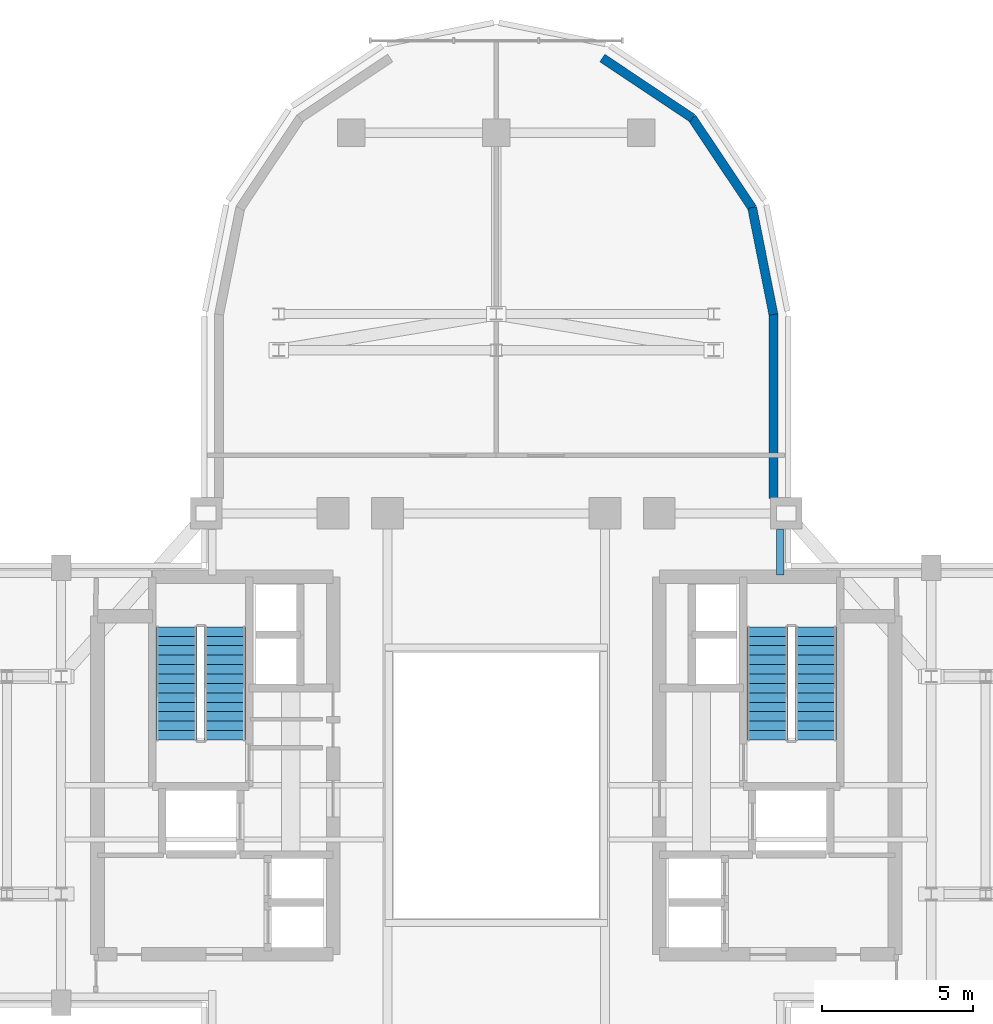
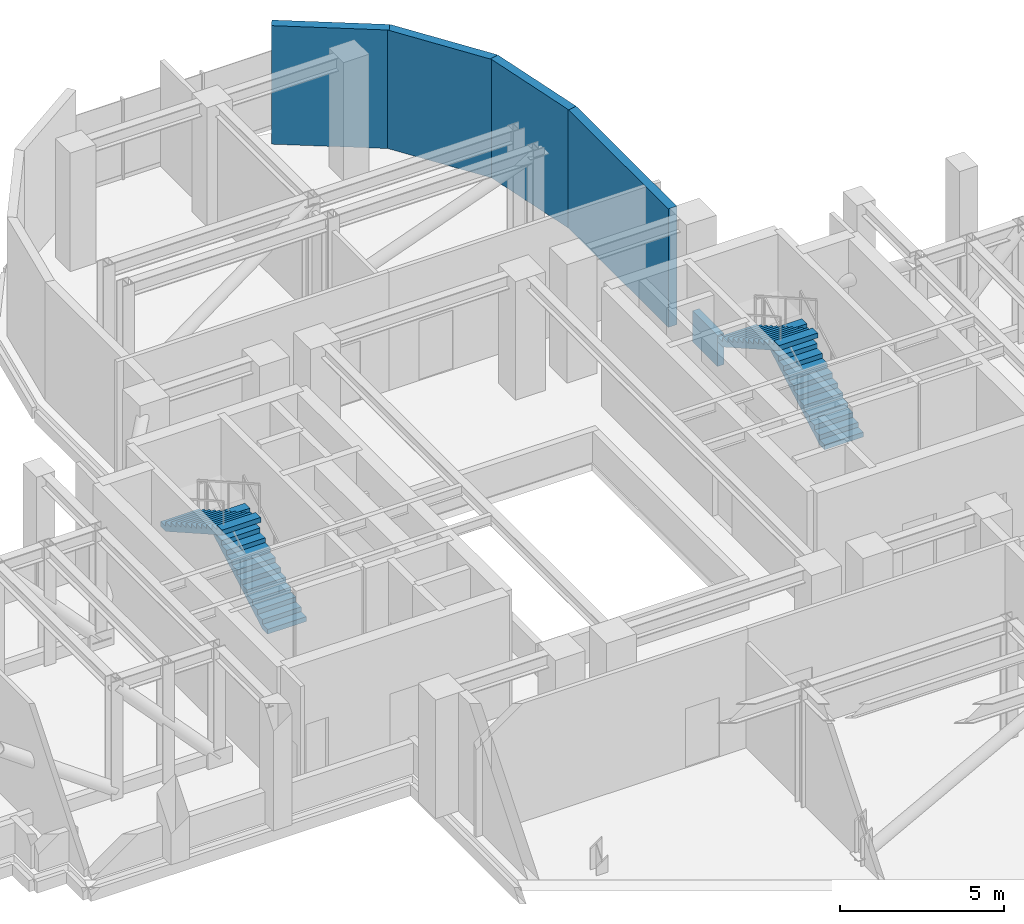
# One storey, part 8 of 11: 5 walls, 4 stair flights, 2 elements without a shape of their own.
"""IFC4 building model written with IfcOpenShell, lengths in metres."""

from ifc_helpers import new_model, si_unit, direction, frame, frame_2d, origin, place, context, subcontext, project, spatial, polyline, rectangle, outline, extrude, material, layer, layer_set, type_object, element, aggregate, save


model = new_model("IFC4")

# Units and contexts
model_context = context("Model", 3, precision=1e-05, world=origin(), true_north=direction((0.0, 1.0)))
body_context = subcontext(model_context, "Body", "Model", "MODEL_VIEW")
ifc_project = project(units=[si_unit("LENGTHUNIT", "METRE"), si_unit("AREAUNIT", "SQUARE_METRE"), si_unit("VOLUMEUNIT", "CUBIC_METRE"), si_unit("PLANEANGLEUNIT", "RADIAN"), si_unit("MASSUNIT", "GRAM", prefix="KILO")], contexts=[model_context])

# Site, building, storey
site_placement = place(None, origin())
site = spatial("IfcSite", under=ifc_project, at=site_placement, CompositionType="ELEMENT")
building_placement = place(site_placement, origin())
building = spatial("IfcBuilding", under=site, at=building_placement, Name="Keilestroom Media Tower", CompositionType="ELEMENT")
storey_placement = place(building_placement, frame((0.0, 0.0, 151.60009765625)))
storey = spatial("IfcBuildingStorey", under=building, at=storey_placement, Name="L41", CompositionType="ELEMENT", Elevation=151.60009765625)

# Walls
ifc_material_1 = material(Name="Precast concrete C40/50", Category="concrete")
ifc_layer_1 = layer(ifc_material_1, 0.300048828125)
ifc_layer_set_1 = layer_set([ifc_layer_1], Name="Precast concrete C40/50")
wall_type_1 = type_object("IfcWallType", Name="Exterior-Masonry-Spandrel-Wall-300", PredefinedType="SOLIDWALL", material=ifc_layer_set_1)
wall_1_placement = place(storey_placement, frame((9.171875, 9.492919921875, 0.0), z_axis=(0.0, 0.0, 1.0), x_axis=(0.0, 1.0, 0.0)))
element("IfcWall", 1, at=wall_1_placement, inside=storey, type_object=wall_type_1, Name="L41 Plant Lobe Masonry Wall 01", PredefinedType="SOLIDWALL", context=body_context, shape_type="SweptSolid", body=[
    extrude(rectangle(XDim=6.136962890625, YDim=0.300048828125, at=frame_2d((3.068359375, 0.0))), origin(), (0.0, 0.0, 1.0), 4.39990234375),
])
for number, where, z_axis, x_axis, name in (
    (2, (9.1748046875, 15.585205078125, 0.0), (0.0, 0.0, 1.0), (-0.195114232679, 0.980780523974, 0.0), "L41 Plant Lobe Masonry Wall 02"),
    (3, (8.48193359375, 19.097412109375, 0.0), (0.0, 0.0, 1.0), (-0.555574187116, 0.831466970246, 0.0), "L41 Plant Lobe Masonry Wall 03"),
):
    element("IfcWall", number, at=place(storey_placement, frame(where, z_axis=z_axis, x_axis=x_axis)), inside=storey, type_object=wall_type_1, Name=name, PredefinedType="SOLIDWALL", context=body_context, shape_type="SweptSolid", body=[
        extrude(rectangle(XDim=3.608642578125, YDim=0.300048828125, at=frame_2d((1.80419921875, 0.0))), origin(), (0.0, 0.0, 1.0), 4.39990234375),
    ])
wall_2_placement = place(storey_placement, frame((6.497802734375, 22.0771484375, 0.0), z_axis=(0.0, 0.0, 1.0), x_axis=(-0.8314749531, 0.555562239868, 0.0)))
element("IfcWall", 4, at=wall_2_placement, inside=storey, type_object=wall_type_1, Name="L41 Plant Lobe Masonry Wall 04", PredefinedType="SOLIDWALL", context=body_context, shape_type="SweptSolid", body=[
    extrude(rectangle(XDim=3.59326171875, YDim=0.300048828125, at=frame_2d((1.796630859375, 0.0))), origin(), (0.0, 0.0, 1.0), 4.39990234375),
])
ifc_layer_2 = layer(ifc_material_1, 0.239990234375)
ifc_layer_set_2 = layer_set([ifc_layer_2], Name="Precast concrete C40/50")
wall_type_2 = type_object("IfcWallType", Name="Roof-And-Terrace-Parapet-Wall-240", PredefinedType="PARAPET", material=ifc_layer_set_2)
wall_3_placement = place(storey_placement, frame((9.39990234375, 8.471923828125, 0.0), z_axis=(0.0, 0.0, 1.0), x_axis=(0.0, -1.0, 0.0)))
element("IfcWall", 5, at=wall_3_placement, inside=storey, type_object=wall_type_2, Name="L41 Perimeter Edge Parapet Wall 28", PredefinedType="PARAPET", context=body_context, shape_type="SweptSolid", body=[
    extrude(rectangle(XDim=1.51904296875, YDim=0.239990234375, at=frame_2d((0.759521484375, 0.0))), origin(), (0.0, 0.0, 1.0), 1.14990234375),
])

# Stair, stair flights
ifc_material_2 = material(Name="Concrete C45/55", Category="concrete")
stair_type = type_object("IfcStairType", Name="Enclosed-Dog-Leg-Stair-ST-CORE", PredefinedType="HALF_TURN_STAIR", material=ifc_material_2)
stair_1_placement = place(storey_placement, origin())
stair_1 = element("IfcStair", 6, at=stair_1_placement, inside=storey, type_object=stair_type, Name="L41 West Core Escape Stair ST-1", PredefinedType="HALF_TURN_STAIR")
stair_flight_type = type_object("IfcStairFlightType", Name="Precast-Concrete-Stair-Flight-Core-160", PredefinedType="STRAIGHT", material=ifc_material_1)
stair_flight_1_placement = place(storey_placement, frame((-8.97998046875, 1.5, 0.0), z_axis=(0.0, 0.0, 1.0), x_axis=(0.0, 1.0, 0.0)))
stair_flight_1 = element("IfcStairFlight", 7, at=stair_flight_1_placement, type_object=stair_flight_type, Name="ST-1 flight 1", NumberOfRisers=13, NumberOfTreads=12, PredefinedType="STRAIGHT", RiserHeight=0.176923077, TreadLength=0.312, context=body_context, shape_type="SweptSolid", body=[
    extrude(outline(polyline([(0.0, 0.0), (0.0, 0.177001953125), (0.31201171875, 0.177001953125), (0.31201171875, 0.353759765625), (0.6240234375, 0.353759765625), (0.6240234375, 0.53076171875), (0.93603515625, 0.53076171875), (0.93603515625, 0.707763671875), (1.248046875, 0.707763671875), (1.248046875, 0.884521484375), (1.56005859375, 0.884521484375), (1.56005859375, 1.0615234375), (1.8720703125, 1.0615234375), (1.8720703125, 1.238525390625), (2.18408203125, 1.238525390625), (2.18408203125, 1.415283203125), (2.49609375, 1.415283203125), (2.49609375, 1.59228515625), (2.80810546875, 1.59228515625), (2.80810546875, 1.769287109375), (3.1201171875, 1.769287109375), (3.1201171875, 1.946044921875), (3.431884765625, 1.946044921875), (3.431884765625, 2.123046875), (3.743896484375, 2.123046875), (3.743896484375, 2.300048828125), (3.743896484375, 1.939208984375), (0.32421875, 0.0), (0.0, 0.0)])), frame((0.0, 0.68017578125, 0.0), z_axis=(0.0, -1.0, 0.0), x_axis=(1.0, 0.0, 0.0)), (0.0, 0.0, 1.0), 1.360107421875),
])
stair_flight_2_placement = place(storey_placement, frame((-10.580078125, 5.243896484375, 2.2998046875), z_axis=(0.0, 0.0, 1.0), x_axis=(0.0, -1.0, 0.0)))
stair_flight_2 = element("IfcStairFlight", 8, at=stair_flight_2_placement, type_object=stair_flight_type, Name="ST-1 flight 2", NumberOfRisers=13, NumberOfTreads=12, PredefinedType="STRAIGHT", RiserHeight=0.176923077, TreadLength=0.312, context=body_context, shape_type="SweptSolid", body=[
    extrude(outline(polyline([(0.0, 0.0), (0.0, 0.177001953125), (0.31201171875, 0.177001953125), (0.31201171875, 0.353759765625), (0.6240234375, 0.353759765625), (0.6240234375, 0.53076171875), (0.93603515625, 0.53076171875), (0.93603515625, 0.707763671875), (1.248046875, 0.707763671875), (1.248046875, 0.884521484375), (1.56005859375, 0.884521484375), (1.56005859375, 1.0615234375), (1.8720703125, 1.0615234375), (1.8720703125, 1.238525390625), (2.18408203125, 1.238525390625), (2.18408203125, 1.415283203125), (2.49609375, 1.415283203125), (2.49609375, 1.59228515625), (2.80810546875, 1.59228515625), (2.80810546875, 1.769287109375), (3.1201171875, 1.769287109375), (3.1201171875, 1.946044921875), (3.431884765625, 1.946044921875), (3.431884765625, 2.123046875), (3.743896484375, 2.123046875), (3.743896484375, 2.300048828125), (3.743896484375, 1.939208984375), (0.32421875, 0.0), (0.0, 0.0)])), frame((0.0, 0.68017578125, 0.0), z_axis=(0.0, -1.0, 0.0), x_axis=(1.0, 0.0, 0.0)), (0.0, 0.0, 1.0), 1.360107421875),
])
aggregate(stair_1, [stair_flight_1, stair_flight_2])

stair_2_placement = place(storey_placement, origin())
stair_2 = element("IfcStair", 9, at=stair_2_placement, inside=storey, type_object=stair_type, Name="L41 East Core Escape Stair ST-2", PredefinedType="HALF_TURN_STAIR")
stair_flight_3_placement = place(storey_placement, frame((10.580078125, 1.5, 0.0), z_axis=(0.0, 0.0, 1.0), x_axis=(0.0, 1.0, 0.0)))
stair_flight_3 = element("IfcStairFlight", 10, at=stair_flight_3_placement, type_object=stair_flight_type, Name="ST-2 flight 1", NumberOfRisers=13, NumberOfTreads=12, PredefinedType="STRAIGHT", RiserHeight=0.176923077, TreadLength=0.312, context=body_context, shape_type="SweptSolid", body=[
    extrude(outline(polyline([(0.0, 0.0), (0.0, 0.177001953125), (0.31201171875, 0.177001953125), (0.31201171875, 0.353759765625), (0.6240234375, 0.353759765625), (0.6240234375, 0.53076171875), (0.93603515625, 0.53076171875), (0.93603515625, 0.707763671875), (1.248046875, 0.707763671875), (1.248046875, 0.884521484375), (1.56005859375, 0.884521484375), (1.56005859375, 1.0615234375), (1.8720703125, 1.0615234375), (1.8720703125, 1.238525390625), (2.18408203125, 1.238525390625), (2.18408203125, 1.415283203125), (2.49609375, 1.415283203125), (2.49609375, 1.59228515625), (2.80810546875, 1.59228515625), (2.80810546875, 1.769287109375), (3.1201171875, 1.769287109375), (3.1201171875, 1.946044921875), (3.431884765625, 1.946044921875), (3.431884765625, 2.123046875), (3.743896484375, 2.123046875), (3.743896484375, 2.300048828125), (3.743896484375, 1.939208984375), (0.32421875, 0.0), (0.0, 0.0)])), frame((0.0, 0.68017578125, 0.0), z_axis=(0.0, -1.0, 0.0), x_axis=(1.0, 0.0, 0.0)), (0.0, 0.0, 1.0), 1.360107421875),
])
stair_flight_4_placement = place(storey_placement, frame((8.97998046875, 5.243896484375, 2.2998046875), z_axis=(0.0, 0.0, 1.0), x_axis=(0.0, -1.0, 0.0)))
stair_flight_4 = element("IfcStairFlight", 11, at=stair_flight_4_placement, type_object=stair_flight_type, Name="ST-2 flight 2", NumberOfRisers=13, NumberOfTreads=12, PredefinedType="STRAIGHT", RiserHeight=0.176923077, TreadLength=0.312, context=body_context, shape_type="SweptSolid", body=[
    extrude(outline(polyline([(0.0, 0.0), (0.0, 0.177001953125), (0.31201171875, 0.177001953125), (0.31201171875, 0.353759765625), (0.6240234375, 0.353759765625), (0.6240234375, 0.53076171875), (0.93603515625, 0.53076171875), (0.93603515625, 0.707763671875), (1.248046875, 0.707763671875), (1.248046875, 0.884521484375), (1.56005859375, 0.884521484375), (1.56005859375, 1.0615234375), (1.8720703125, 1.0615234375), (1.8720703125, 1.238525390625), (2.18408203125, 1.238525390625), (2.18408203125, 1.415283203125), (2.49609375, 1.415283203125), (2.49609375, 1.59228515625), (2.80810546875, 1.59228515625), (2.80810546875, 1.769287109375), (3.1201171875, 1.769287109375), (3.1201171875, 1.946044921875), (3.431884765625, 1.946044921875), (3.431884765625, 2.123046875), (3.743896484375, 2.123046875), (3.743896484375, 2.300048828125), (3.743896484375, 1.939208984375), (0.32421875, 0.0), (0.0, 0.0)])), frame((0.0, 0.68017578125, 0.0), z_axis=(0.0, -1.0, 0.0), x_axis=(1.0, 0.0, 0.0)), (0.0, 0.0, 1.0), 1.360107421875),
])
aggregate(stair_2, [stair_flight_3, stair_flight_4])

save(model, "model.ifc")
